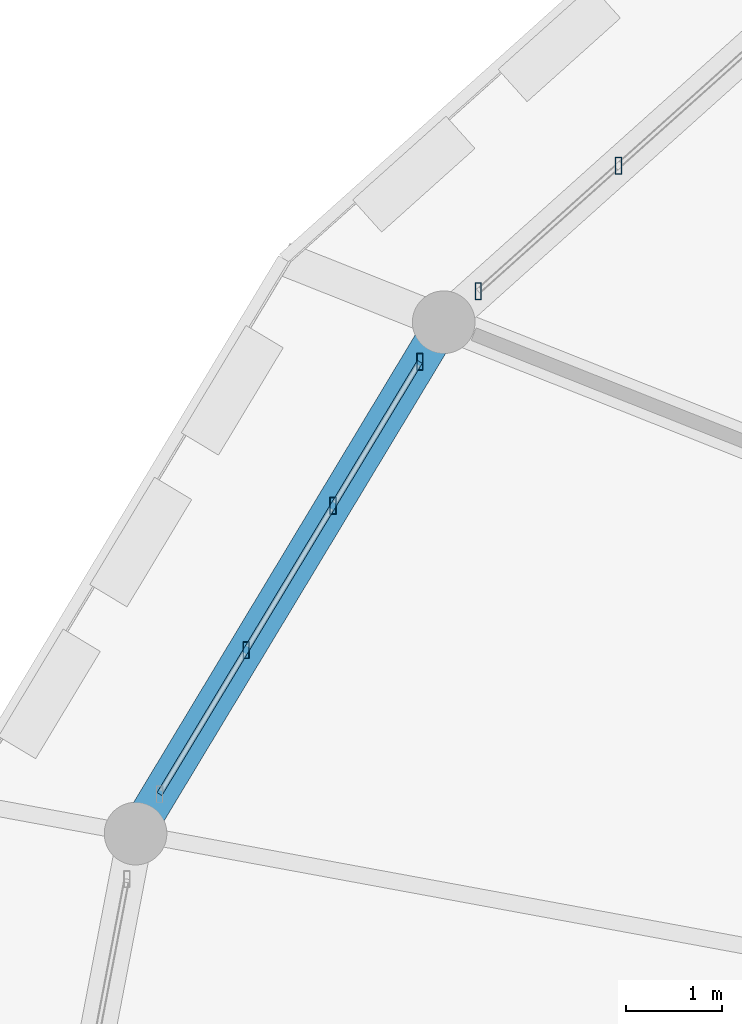
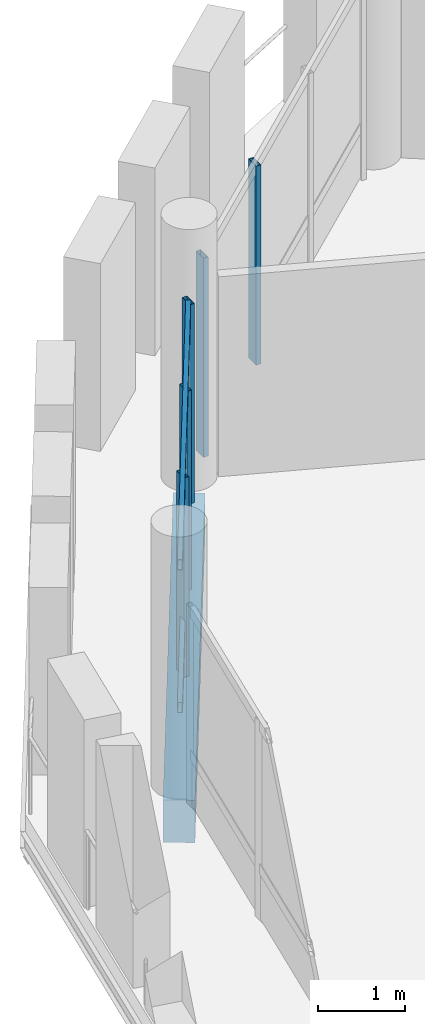
# One storey, part 42 of 84: 7 members, 1 beam, 2 elements without a shape of their own.
"""IFC4 building model written with IfcOpenShell, lengths in metres."""

import ifcopenshell
import ifcopenshell.guid

model = None  # the IFC model being written
_history = None  # IfcOwnerHistory: only IFC2X3 demands one
_inside = {}  # id of a spatial element -> (the spatial element, [elements in it])
_under = {}  # id of a project, library or spatial element -> (it, [spatial elements below it])
_declared = {}  # id of a project -> (the project, [libraries it declares])
_typed = {}  # id of a type object -> (the type object, [elements of that type])
_made_of = {}  # id of a material, layer set ... -> (it, [elements and type objects made of it])


def new_model(schema):
    """Start an empty IFC model of exactly this schema.

    Asked for "IFC4X3", IfcOpenShell would pick the latest addendum, in which some entities
    have other attributes; the version numbers below select the first issue.
    IFC2X3 requires an IfcOwnerHistory on every rooted entity: one is made here for all.
    """
    global model, _history
    if schema == "IFC4X3":
        model = ifcopenshell.file(schema_version=(4, 3, 0, 0))
    else:
        model = ifcopenshell.file(schema=schema)
    _inside.clear()
    _under.clear()
    _declared.clear()
    _typed.clear()
    _made_of.clear()
    _history = None
    if model.schema == "IFC2X3":
        org = make("IfcOrganization", Name="unknown")
        user = make(
            "IfcPersonAndOrganization",
            ThePerson=make("IfcPerson", FamilyName="unknown"),
            TheOrganization=org,
        )
        app = make(
            "IfcApplication",
            ApplicationDeveloper=org,
            Version="unknown",
            ApplicationFullName="unknown",
            ApplicationIdentifier="unknown",
        )
        _history = make(
            "IfcOwnerHistory",
            OwningUser=user,
            OwningApplication=app,
            ChangeAction="ADDED",
            CreationDate=0,
        )
    return model


def make(cls, **values):
    """One entity of the class cls with the attributes given. An attribute that is None is left unset."""
    return model.create_entity(
        cls, **{name: value for name, value in values.items() if value is not None}
    )


def rooted(cls, **values):
    """An entity with a GlobalId (a new one), such as an element, a storey or a relation."""
    return make(cls, GlobalId=ifcopenshell.guid.new(), OwnerHistory=_history, **values)


def si_unit(unit_type, name, prefix=None):
    """IfcSIUnit, for example si_unit("LENGTHUNIT", "METRE", prefix="MILLI")."""
    return make("IfcSIUnit", UnitType=unit_type, Prefix=prefix, Name=name)


def assignment(units):
    """IfcUnitAssignment: the units of a project."""
    return None if units is None else make("IfcUnitAssignment", Units=units)


def point(xyz):
    """IfcCartesianPoint."""
    return None if xyz is None else make("IfcCartesianPoint", Coordinates=xyz)


def direction(xyz):
    """IfcDirection."""
    return None if xyz is None else make("IfcDirection", DirectionRatios=xyz)


def frame(location, z_axis=None, x_axis=None):
    """IfcAxis2Placement3D, a coordinate frame: its origin and axes. An axis left out is left unset."""
    return make(
        "IfcAxis2Placement3D",
        Location=point(location),
        Axis=direction(z_axis),
        RefDirection=direction(x_axis),
    )


def frame_2d(location, x_axis=None):
    """IfcAxis2Placement2D, a coordinate frame in the plane: its origin and x axis."""
    return make(
        "IfcAxis2Placement2D", Location=point(location), RefDirection=direction(x_axis)
    )


def origin():
    """The frame at (0, 0, 0) with its axes left unset."""
    return frame((0.0, 0.0, 0.0))


def origin_2d():
    """The frame at (0, 0) in the plane with its x axis left unset."""
    return frame_2d((0.0, 0.0))


def place(relative_to, where):
    """IfcLocalPlacement: puts the frame where relative to a parent placement (None: the world)."""
    return make(
        "IfcLocalPlacement", PlacementRelTo=relative_to, RelativePlacement=where
    )


def context(
    kind, dimensions, precision=None, world=None, true_north=None, identifier=None
):
    """IfcGeometricRepresentationContext, for example the 3D "Model" context."""
    return make(
        "IfcGeometricRepresentationContext",
        ContextIdentifier=identifier,
        ContextType=kind,
        CoordinateSpaceDimension=dimensions,
        Precision=precision,
        WorldCoordinateSystem=world,
        TrueNorth=true_north,
    )


def subcontext(parent, identifier, kind, view, scale=None):
    """IfcGeometricRepresentationSubContext, for example "Body" below "Model"."""
    return make(
        "IfcGeometricRepresentationSubContext",
        ContextIdentifier=identifier,
        ContextType=kind,
        ParentContext=parent,
        TargetScale=scale,
        TargetView=view,
    )


def project(units=None, contexts=None):
    """IfcProject with its units and contexts."""
    return rooted(
        "IfcProject",
        Name="project",
        RepresentationContexts=contexts,
        UnitsInContext=assignment(units),
    )


def spatial(cls, under=None, at=None, **own):
    """A site, building, storey or space (cls), placed at a placement, below another one or the project."""
    s = rooted(cls, ObjectPlacement=at, **own)
    if under is not None:
        _under.setdefault(under.id(), (under, []))[1].append(s)
    return s


def profile(cls, at=None, kind="AREA", **sizes):
    """A parametric profile (cls). Its sizes go by their IFC names, for example OverallWidth=200.0."""
    return make(cls, ProfileType=kind, Position=at, **sizes)


def rectangle(**sizes):
    """IfcRectangleProfileDef."""
    return profile("IfcRectangleProfileDef", **sizes)


def hollow_rectangle(**sizes):
    """IfcRectangleHollowProfileDef."""
    return profile("IfcRectangleHollowProfileDef", **sizes)


def extrude(swept, where, along, depth):
    """IfcExtrudedAreaSolid: the profile swept, set in the frame where, extruded along a direction by depth."""
    return make(
        "IfcExtrudedAreaSolid",
        SweptArea=swept,
        Position=where,
        ExtrudedDirection=direction(along),
        Depth=depth,
    )


def shape(context_of_items, identifier, shape_type, items):
    """IfcShapeRepresentation: the items that make up one representation, for example the "Body"."""
    return make(
        "IfcShapeRepresentation",
        ContextOfItems=context_of_items,
        RepresentationIdentifier=identifier,
        RepresentationType=shape_type,
        Items=items,
    )


def material(Name=None, Category=None):
    """IfcMaterial."""
    return make("IfcMaterial", Name=Name, Category=Category)


def material_profile(
    of_material, cross_section, Name=None, Category=None, Priority=None
):
    """IfcMaterialProfile: a cross section and its material."""
    return make(
        "IfcMaterialProfile",
        Name=Name,
        Material=of_material,
        Profile=cross_section,
        Priority=Priority,
        Category=Category,
    )


def profile_set(profiles, Name=None, composite=None):
    """IfcMaterialProfileSet."""
    return make(
        "IfcMaterialProfileSet",
        Name=Name,
        MaterialProfiles=profiles,
        CompositeProfile=composite,
    )


def made_of(thing, what):
    """Note that an element or type object is made of a material, layer set ...; save() writes the relation."""
    if what is not None:
        _made_of.setdefault(what.id(), (what, []))[1].append(thing)
    return thing


def type_object(cls, material=None, **own):
    """A type object (cls), such as IfcWallType, which elements share."""
    return made_of(rooted(cls, **own), material)


def element(
    cls,
    number,
    at=None,
    inside=None,
    cuts=None,
    type_object=None,
    material=None,
    context=None,
    identifier="Body",
    shape_type=None,
    held_by="IfcProductDefinitionShape",
    body=None,
    shapes=None,
    **own,
):
    """One element of the class cls, such as IfcWall. Its Tag is "e" and its number.

    at: its placement. inside: the storey or other place that contains it. cuts: it is an
    opening in that element (IfcRelVoidsElement). A single representation is given by context,
    identifier, shape_type and body (its items); several are given by shapes. held_by: the class
    of the entity that holds the representations. save() writes the other relations.
    """
    e = rooted(cls, Tag="e%d" % number, ObjectPlacement=at, **own)
    if body is not None:
        shapes = [shape(context, identifier, shape_type, body)]
    if shapes is not None:
        e.Representation = make(held_by, Representations=shapes)
    if inside is not None:
        _inside.setdefault(inside.id(), (inside, []))[1].append(e)
    if cuts is not None:
        rooted(
            "IfcRelVoidsElement", RelatingBuildingElement=cuts, RelatedOpeningElement=e
        )
    if type_object is not None:
        _typed.setdefault(type_object.id(), (type_object, []))[1].append(e)
    return made_of(e, material)


def aggregate(whole, parts):
    """IfcRelAggregates: a whole, such as a stair, and the parts it consists of."""
    return rooted("IfcRelAggregates", RelatingObject=whole, RelatedObjects=parts)


def save(model, path):
    """Write the relations noted so far, then the file.

    IfcRelAggregates (storeys below a building ...), IfcRelContainedInSpatialStructure (elements
    in a storey), IfcRelDefinesByType, IfcRelAssociatesMaterial and IfcRelDeclares: one each for
    every whole, place, type object, material and project.
    """
    for whole, parts in _under.values():
        aggregate(whole, parts)
    for where, things in _inside.values():
        rooted(
            "IfcRelContainedInSpatialStructure",
            RelatedElements=things,
            RelatingStructure=where,
        )
    for kind, things in _typed.values():
        rooted("IfcRelDefinesByType", RelatedObjects=things, RelatingType=kind)
    for what, things in _made_of.values():
        rooted("IfcRelAssociatesMaterial", RelatedObjects=things, RelatingMaterial=what)
    for by, libraries in _declared.values():
        rooted("IfcRelDeclares", RelatingContext=by, RelatedDefinitions=libraries)
    model.write(path)


model = new_model("IFC4")

# Units and contexts
model_context = context("Model", 3, precision=1e-05, world=origin(), true_north=direction((0.0, 1.0)))
body_context = subcontext(model_context, "Body", "Model", "MODEL_VIEW")
ifc_project = project(units=[si_unit("LENGTHUNIT", "METRE"), si_unit("AREAUNIT", "SQUARE_METRE"), si_unit("VOLUMEUNIT", "CUBIC_METRE"), si_unit("PLANEANGLEUNIT", "RADIAN"), si_unit("MASSUNIT", "GRAM", prefix="KILO")], contexts=[model_context])

# Site, building, storey
site_placement = place(None, origin())
site = spatial("IfcSite", under=ifc_project, at=site_placement, CompositionType="ELEMENT")
building_placement = place(site_placement, origin())
building = spatial("IfcBuilding", under=site, at=building_placement, Name="Zornivar Specialist Clinic", CompositionType="ELEMENT")
storey_placement = place(building_placement, frame((0.0, 0.0, 12.300048828125)))
storey = spatial("IfcBuildingStorey", under=building, at=storey_placement, Name="L03", CompositionType="ELEMENT", Elevation=12.300048828125)

# Beam
ifc_material_1 = material(Name="Concrete C30/37", Category="concrete")
ifc_material_profile_1 = material_profile(ifc_material_1, rectangle(XDim=0.3701171875, YDim=0.60009765625, at=origin_2d()), Name="RC 370x600")
ifc_profile_set_1 = profile_set([ifc_material_profile_1], Name="Concrete C30/37")
beam_type = type_object("IfcBeamType", Name="BM-RC-SPANDREL-370x600", PredefinedType="SPANDREL", material=ifc_profile_set_1)
beam_placement = place(storey_placement, frame((65.886962890625, 68.60009765625, -0.5400390625), z_axis=(-0.516077084803, -0.856542142887, 0.0), x_axis=(0.856542142887, -0.516077084803, 0.0)))
element("IfcBeam", 1, at=beam_placement, inside=storey, type_object=beam_type, Name="bm:V1:L03:outring:10", PredefinedType="SPANDREL", context=body_context, shape_type="SweptSolid", body=[
    extrude(rectangle(XDim=0.3701171875, YDim=0.60009765625, at=origin_2d()), origin(), (0.0, 0.0, 1.0), 6.19482421875),
])

# Curtain wall, members
ifc_material_2 = material(Name="Aluminium and Low-E Glass Curtain Wall", Category="aluminium")
curtain_wall_type = type_object("IfcCurtainWallType", Name="CW-DRUM-FACET", PredefinedType="NOTDEFINED", material=ifc_material_2)
curtain_wall_1_placement = place(storey_placement, origin())
curtain_wall_1 = element("IfcCurtainWall", 2, at=curtain_wall_1_placement, inside=storey, type_object=curtain_wall_type, Name="cw:V1:L03:c09", PredefinedType="NOTDEFINED")
ifc_material_3 = material(Name="Aluminium AW-6060", Category="aluminium")
ifc_material_profile_2 = material_profile(ifc_material_3, hollow_rectangle(XDim=0.06494140625, YDim=0.175048828125, WallThickness=0.00439453125, at=origin_2d()), Name="ALU 65x175x4.5")
ifc_profile_set_2 = profile_set([ifc_material_profile_2], Name="Aluminium AW-6060")
member_type_1 = type_object("IfcMemberType", Name="CWM-MUL-175", PredefinedType="MULLION", material=ifc_profile_set_2)
member_1_placement = place(storey_placement, frame((67.700927734375, 70.22509765625, 0.0), z_axis=(0.0, 0.0, 1.0), x_axis=(1.0, 0.0, 0.0)))
member_1 = element("IfcMember", 3, at=member_1_placement, type_object=member_type_1, Name="cw:V1:L03:c09:mul:2", PredefinedType="MULLION", context=body_context, shape_type="SweptSolid", body=[
    extrude(hollow_rectangle(XDim=0.06494140625, YDim=0.175048828125, WallThickness=0.00439453125, at=origin_2d()), origin(), (0.0, 0.0, 1.0), 2.81005859375),
])
member_2_placement = place(storey_placement, frame((66.2451171875, 68.9208984375, 0.0), z_axis=(0.0, 0.0, 1.0), x_axis=(1.0, 0.0, 0.0)))
member_2 = element("IfcMember", 4, at=member_2_placement, type_object=member_type_1, Name="cw:V1:L03:c09:mul:3", PredefinedType="MULLION", context=body_context, shape_type="SweptSolid", body=[
    extrude(hollow_rectangle(XDim=0.06494140625, YDim=0.175048828125, WallThickness=0.00439453125, at=origin_2d()), origin(), (0.0, 0.0, 1.0), 2.81005859375),
])
aggregate(curtain_wall_1, [member_1, member_2])

curtain_wall_2_placement = place(storey_placement, origin())
curtain_wall_2 = element("IfcCurtainWall", 5, at=curtain_wall_2_placement, inside=storey, type_object=curtain_wall_type, Name="cw:V1:L03:c10", PredefinedType="NOTDEFINED")
member_3_placement = place(storey_placement, frame((65.638916015625, 68.18896484375, 0.0), z_axis=(0.0, 0.0, 1.0), x_axis=(1.0, 0.0, 0.0)))
member_3 = element("IfcMember", 6, at=member_3_placement, type_object=member_type_1, Name="cw:V1:L03:c10:mul:0", PredefinedType="MULLION", context=body_context, shape_type="SweptSolid", body=[
    extrude(hollow_rectangle(XDim=0.06494140625, YDim=0.175048828125, WallThickness=0.00439453125, at=origin_2d()), origin(), (0.0, 0.0, 1.0), 2.81005859375),
])
member_4_placement = place(storey_placement, frame((64.739013671875, 66.694091796875, 0.0), z_axis=(0.0, 0.0, 1.0), x_axis=(1.0, 0.0, 0.0)))
member_4 = element("IfcMember", 7, at=member_4_placement, type_object=member_type_1, Name="cw:V1:L03:c10:mul:1", PredefinedType="MULLION", context=body_context, shape_type="SweptSolid", body=[
    extrude(hollow_rectangle(XDim=0.06494140625, YDim=0.175048828125, WallThickness=0.00439453125, at=origin_2d()), origin(), (0.0, 0.0, 1.0), 2.81005859375),
])
member_5_placement = place(storey_placement, frame((63.837890625, 65.198974609375, 0.0), z_axis=(0.0, 0.0, 1.0), x_axis=(1.0, 0.0, 0.0)))
member_5 = element("IfcMember", 8, at=member_5_placement, type_object=member_type_1, Name="cw:V1:L03:c10:mul:2", PredefinedType="MULLION", context=body_context, shape_type="SweptSolid", body=[
    extrude(hollow_rectangle(XDim=0.06494140625, YDim=0.175048828125, WallThickness=0.00439453125, at=origin_2d()), origin(), (0.0, 0.0, 1.0), 2.81005859375),
])
ifc_material_4 = material(Name="Aluminium AW-6060", Category="aluminium")
ifc_material_profile_3 = material_profile(ifc_material_4, hollow_rectangle(XDim=0.06005859375, YDim=0.14501953125, WallThickness=0.00390625, at=origin_2d()), Name="ALU 60x145x4")
ifc_profile_set_3 = profile_set([ifc_material_profile_3], Name="Aluminium AW-6060")
member_type_2 = type_object("IfcMemberType", Name="CWM-TRN-145", PredefinedType="USERDEFINED", material=ifc_profile_set_3)
member_6_placement = place(storey_placement, frame((65.638916015625, 68.18896484375, 0.73095703125), z_axis=(-0.515983359641, -0.856598606451, 0.0), x_axis=(0.856598606451, -0.515983359641, 0.0)))
member_6 = element("IfcMember", 9, at=member_6_placement, type_object=member_type_2, Name="cw:V1:L03:c10:trn:0", ObjectType="TRANSOM", PredefinedType="USERDEFINED", context=body_context, shape_type="SweptSolid", body=[
    extrude(hollow_rectangle(XDim=0.06005859375, YDim=0.14501953125, WallThickness=0.00390625, at=origin_2d()), origin(), (0.0, 0.0, 1.0), 5.234619140625),
])
member_7_placement = place(storey_placement, frame((65.638916015625, 68.18896484375, 2.744873046875), z_axis=(-0.515983359641, -0.856598606451, 0.0), x_axis=(0.856598606451, -0.515983359641, 0.0)))
member_7 = element("IfcMember", 10, at=member_7_placement, type_object=member_type_2, Name="cw:V1:L03:c10:trn:1", ObjectType="TRANSOM", PredefinedType="USERDEFINED", context=body_context, shape_type="SweptSolid", body=[
    extrude(hollow_rectangle(XDim=0.06005859375, YDim=0.14501953125, WallThickness=0.00390625, at=origin_2d()), origin(), (0.0, 0.0, 1.0), 5.234619140625),
])
aggregate(curtain_wall_2, [member_3, member_4, member_5, member_6, member_7])

save(model, "model.ifc")
